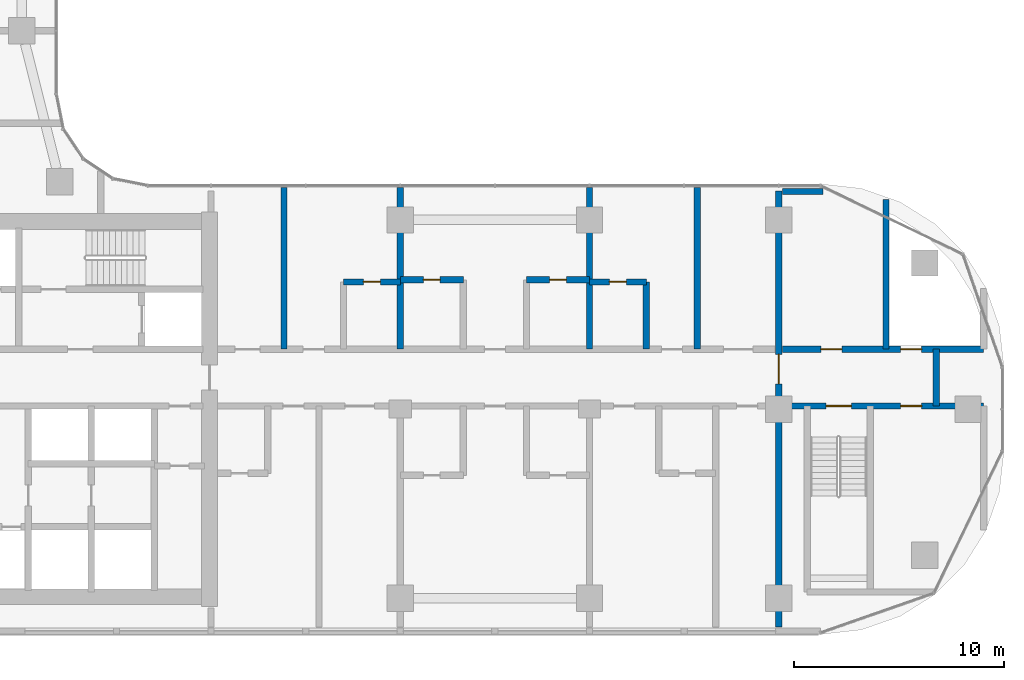
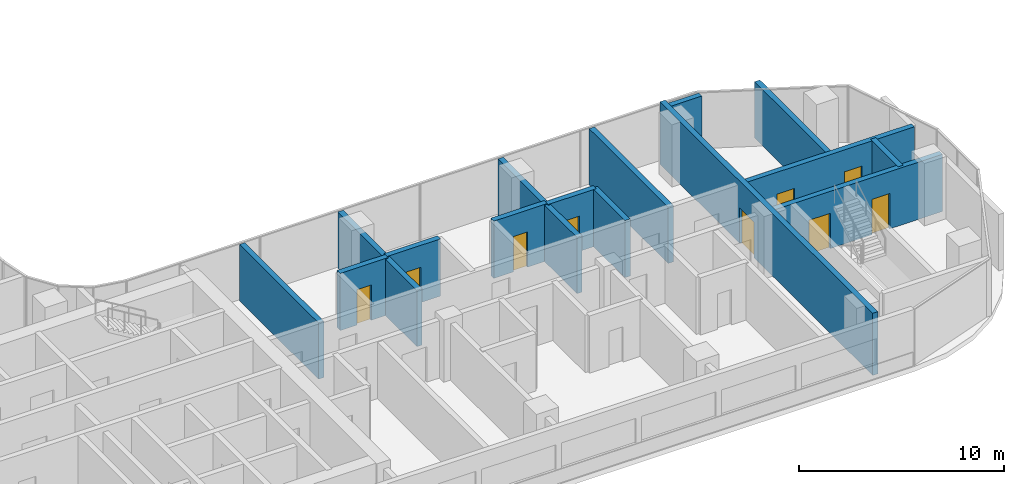
# One storey, part 12 of 22: 15 walls, 9 doors, 9 openings.
"""IFC4 building model written with IfcOpenShell, lengths in metres."""

from ifc_helpers import new_model, si_unit, direction, frame, frame_2d, origin, place, context, subcontext, project, spatial, rectangle, extrude, material, layer, layer_set, type_object, element, fill, save


model = new_model("IFC4")

# Units and contexts
model_context = context("Model", 3, precision=1e-05, world=origin(), true_north=direction((0.0, 1.0)))
body_context = subcontext(model_context, "Body", "Model", "MODEL_VIEW")
ifc_project = project(units=[si_unit("LENGTHUNIT", "METRE"), si_unit("AREAUNIT", "SQUARE_METRE"), si_unit("VOLUMEUNIT", "CUBIC_METRE"), si_unit("PLANEANGLEUNIT", "RADIAN"), si_unit("MASSUNIT", "GRAM", prefix="KILO")], contexts=[model_context])

# Site, building, storey
site_placement = place(None, origin())
site = spatial("IfcSite", under=ifc_project, at=site_placement, CompositionType="ELEMENT")
building_placement = place(site_placement, origin())
building = spatial("IfcBuilding", under=site, at=building_placement, Name="Ogive Portal Towers", CompositionType="ELEMENT")
storey_placement = place(building_placement, frame((0.0, 0.0, 131.5)))
storey = spatial("IfcBuildingStorey", under=building, at=storey_placement, Name="L32", CompositionType="ELEMENT", Elevation=131.5)

# Wall, opening, door
ifc_material_1 = material(Name="Concrete C60/75", Category="concrete")
ifc_layer_1 = layer(ifc_material_1, 0.300048828125)
ifc_layer_set_1 = layer_set([ifc_layer_1], Name="REVEAL WALL 300 C60")
wall_type_1 = type_object("IfcWallType", Name="REVEAL WALL 300 C60", PredefinedType="SHEAR", material=ifc_layer_set_1)
wall_1_placement = place(storey_placement, frame((85.5, 20.135009765625, 0.0), z_axis=(0.0, 0.0, 1.0), x_axis=(0.0, 1.0, 0.0)))
wall_1 = element("IfcWall", 1, at=wall_1_placement, inside=storey, type_object=wall_type_1, Name="Portal reveal wall L32", PredefinedType="SHEAR", context=body_context, shape_type="SweptSolid", body=[
    extrude(rectangle(XDim=20.72998046875, YDim=0.300048828125, at=frame_2d((10.364990234375, 0.0))), origin(), (0.0, 0.0, 1.0), 3.699951171875),
])
opening_1_placement = place(wall_1_placement, frame((11.56494140625, 0.0, 0.0)))
opening_1 = element("IfcOpeningElement", 2, at=opening_1_placement, cuts=wall_1, Name="Opening D11-066", PredefinedType="OPENING", context=body_context, shape_type="SweptSolid", body=[
    extrude(rectangle(XDim=1.39990234375, YDim=2.10009765625, at=frame_2d((0.699951171875, 1.050048828125))), frame((0.0, 0.16015625, 0.0), z_axis=(0.0, -1.0, 0.0), x_axis=(1.0, 0.0, 0.0)), (0.0, 0.0, 1.0), 0.320068359375),
])
ifc_material_2 = material(Name="Steel fire door", Category="steel")
door_type_1 = type_object("IfcDoorType", Name="DT-STAIR-1400x2100-FD90S", OperationType="SINGLE_SWING_LEFT", PredefinedType="DOOR", material=ifc_material_2)
door_1_placement = place(opening_1_placement, origin())
door_1 = element("IfcDoor", 3, at=door_1_placement, inside=storey, type_object=door_type_1, Name="Door D11-066", OperationType="SINGLE_SWING_RIGHT", OverallHeight=2.10009765625, OverallWidth=1.39990234375, PredefinedType="DOOR", context=body_context, shape_type="SweptSolid", body=[
    extrude(rectangle(XDim=1.39990234375, YDim=2.10009765625, at=frame_2d((0.699951171875, 1.050048828125))), frame((0.0, 0.02490234375, 0.0), z_axis=(0.0, -1.0, 0.0), x_axis=(1.0, 0.0, 0.0)), (0.0, 0.0, 1.0), 0.050048828125),
])
fill(opening_1, door_1)

# Wall, openings, doors
ifc_material_3 = material(Name="Concrete C50/60", Category="concrete")
ifc_layer_2 = layer(ifc_material_3, 0.300048828125)
ifc_layer_set_2 = layer_set([ifc_layer_2], Name="STAIR WALL 300 C50")
wall_type_2 = type_object("IfcWallType", Name="STAIR WALL 300 C50", PredefinedType="SHEAR", material=ifc_layer_set_2)
wall_2_placement = place(storey_placement, frame((85.669921875, 30.64990234375, 0.0), z_axis=(0.0, 0.0, 1.0), x_axis=(1.0, 0.0, 0.0)))
wall_2 = element("IfcWall", 4, at=wall_2_placement, inside=storey, type_object=wall_type_2, Name="Stair wall ST-A4 L32", PredefinedType="SHEAR", context=body_context, shape_type="SweptSolid", body=[
    extrude(rectangle(XDim=9.580078125, YDim=0.300048828125, at=frame_2d((4.7900390625, 0.0))), origin(), (0.0, 0.0, 1.0), 3.39990234375),
])
opening_2_placement = place(wall_2_placement, frame((2.080078125, 0.0, 0.0)))
opening_2 = element("IfcOpeningElement", 5, at=opening_2_placement, cuts=wall_2, Name="Opening D11-061", PredefinedType="OPENING", context=body_context, shape_type="SweptSolid", body=[
    extrude(rectangle(XDim=1.199951171875, YDim=2.10009765625, at=frame_2d((0.60009765625, 1.050048828125))), frame((0.0, 0.16015625, 0.0), z_axis=(0.0, -1.0, 0.0), x_axis=(1.0, 0.0, 0.0)), (0.0, 0.0, 1.0), 0.320068359375),
])
opening_3_placement = place(wall_2_placement, frame((5.6298828125, 0.0, 0.0)))
opening_3 = element("IfcOpeningElement", 6, at=opening_3_placement, cuts=wall_2, Name="Opening D11-064", PredefinedType="OPENING", context=body_context, shape_type="SweptSolid", body=[
    extrude(rectangle(XDim=1.0, YDim=2.10009765625, at=frame_2d((0.5, 1.050048828125))), frame((0.0, 0.16015625, 0.0), z_axis=(0.0, -1.0, 0.0), x_axis=(1.0, 0.0, 0.0)), (0.0, 0.0, 1.0), 0.320068359375),
])
door_type_2 = type_object("IfcDoorType", Name="DT-SERVICE-1000x2100-FD90S", OperationType="SINGLE_SWING_LEFT", PredefinedType="DOOR", material=ifc_material_2)
door_2_placement = place(opening_3_placement, origin())
door_2 = element("IfcDoor", 7, at=door_2_placement, inside=storey, type_object=door_type_2, Name="Door D11-064", OperationType="SINGLE_SWING_LEFT", OverallHeight=2.10009765625, OverallWidth=1.0, PredefinedType="DOOR", context=body_context, shape_type="SweptSolid", body=[
    extrude(rectangle(XDim=1.0, YDim=2.10009765625, at=frame_2d((0.5, 1.050048828125))), frame((0.0, 0.02490234375, 0.0), z_axis=(0.0, -1.0, 0.0), x_axis=(1.0, 0.0, 0.0)), (0.0, 0.0, 1.0), 0.050048828125),
])
fill(opening_3, door_2)
door_type_3 = type_object("IfcDoorType", Name="DT-STAIR-1200x2100-FD90S", OperationType="SINGLE_SWING_LEFT", PredefinedType="DOOR", material=ifc_material_2)
door_3_placement = place(opening_2_placement, origin())
door_3 = element("IfcDoor", 8, at=door_3_placement, inside=storey, type_object=door_type_3, Name="Door D11-061", OperationType="SINGLE_SWING_LEFT", OverallHeight=2.10009765625, OverallWidth=1.199951171875, PredefinedType="DOOR", context=body_context, shape_type="SweptSolid", body=[
    extrude(rectangle(XDim=1.199951171875, YDim=2.10009765625, at=frame_2d((0.60009765625, 1.050048828125))), frame((0.0, 0.02490234375, 0.0), z_axis=(0.0, -1.0, 0.0), x_axis=(1.0, 0.0, 0.0)), (0.0, 0.0, 1.0), 0.050048828125),
])
fill(opening_2, door_3)

ifc_material_4 = material(Name="Gypsum board partition on steel studs", Category="steel")
ifc_layer_3 = layer(ifc_material_4, 0.300048828125)
ifc_layer_set_3 = layer_set([ifc_layer_3], Name="WT-PART-300-EI 120")
wall_type_3 = type_object("IfcWallType", Name="WT-PART-300-EI 120", PredefinedType="PARTITIONING", material=ifc_layer_set_3)
wall_3_placement = place(storey_placement, frame((85.669921875, 33.35009765625, 0.0), z_axis=(0.0, 0.0, 1.0), x_axis=(1.0, 0.0, 0.0)))
wall_3 = element("IfcWall", 9, at=wall_3_placement, inside=storey, type_object=wall_type_3, Name="Wall L32:w009", PredefinedType="PARTITIONING", context=body_context, shape_type="SweptSolid", body=[
    extrude(rectangle(XDim=9.580078125, YDim=0.300048828125, at=frame_2d((4.7900390625, 0.0))), origin(), (0.0, 0.0, 1.0), 3.39990234375),
])
opening_4_placement = place(wall_3_placement, frame((1.830078125, 0.0, 0.0)))
opening_4 = element("IfcOpeningElement", 10, at=opening_4_placement, cuts=wall_3, Name="Opening D11-062", PredefinedType="OPENING", context=body_context, shape_type="SweptSolid", body=[
    extrude(rectangle(XDim=1.0, YDim=2.10009765625, at=frame_2d((0.5, 1.050048828125))), frame((0.0, 0.16015625, 0.0), z_axis=(0.0, -1.0, 0.0), x_axis=(1.0, 0.0, 0.0)), (0.0, 0.0, 1.0), 0.320068359375),
])
opening_5_placement = place(wall_3_placement, frame((5.6298828125, 0.0, 0.0)))
opening_5 = element("IfcOpeningElement", 11, at=opening_5_placement, cuts=wall_3, Name="Opening D11-063", PredefinedType="OPENING", context=body_context, shape_type="SweptSolid", body=[
    extrude(rectangle(XDim=1.0, YDim=2.10009765625, at=frame_2d((0.5, 1.050048828125))), frame((0.0, 0.16015625, 0.0), z_axis=(0.0, -1.0, 0.0), x_axis=(1.0, 0.0, 0.0)), (0.0, 0.0, 1.0), 0.320068359375),
])
door_4_placement = place(opening_4_placement, origin())
door_4 = element("IfcDoor", 12, at=door_4_placement, inside=storey, type_object=door_type_2, Name="Door D11-062", OperationType="SINGLE_SWING_LEFT", OverallHeight=2.10009765625, OverallWidth=1.0, PredefinedType="DOOR", context=body_context, shape_type="SweptSolid", body=[
    extrude(rectangle(XDim=1.0, YDim=2.10009765625, at=frame_2d((0.5, 1.050048828125))), frame((0.0, 0.02490234375, 0.0), z_axis=(0.0, -1.0, 0.0), x_axis=(1.0, 0.0, 0.0)), (0.0, 0.0, 1.0), 0.050048828125),
])
fill(opening_4, door_4)
door_5_placement = place(opening_5_placement, origin())
door_5 = element("IfcDoor", 13, at=door_5_placement, inside=storey, type_object=door_type_2, Name="Riser access door D11-063", OperationType="SINGLE_SWING_RIGHT", OverallHeight=2.10009765625, OverallWidth=1.0, PredefinedType="DOOR", context=body_context, shape_type="SweptSolid", body=[
    extrude(rectangle(XDim=1.0, YDim=2.10009765625, at=frame_2d((0.5, 1.050048828125))), frame((0.0, 0.02490234375, 0.0), z_axis=(0.0, -1.0, 0.0), x_axis=(1.0, 0.0, 0.0)), (0.0, 0.0, 1.0), 0.050048828125),
])
fill(opening_5, door_5)

# Wall
wall_4_placement = place(storey_placement, frame((93.0, 30.64990234375, 0.0), z_axis=(0.0, 0.0, 1.0), x_axis=(0.0, 1.0, 0.0)))
element("IfcWall", 14, at=wall_4_placement, inside=storey, type_object=wall_type_3, Name="Wall L32:w065", PredefinedType="PARTITIONING", context=body_context, shape_type="SweptSolid", body=[
    extrude(rectangle(XDim=2.7001953125, YDim=0.300048828125, at=frame_2d((1.35009765625, 0.0))), origin(), (0.0, 0.0, 1.0), 3.39990234375),
])

# Wall, opening, door
ifc_layer_4 = layer(ifc_material_4, 0.300048828125)
ifc_layer_set_4 = layer_set([ifc_layer_4], Name="WT-PART-300-EI 60")
wall_type_4 = type_object("IfcWallType", Name="WT-PART-300-EI 60", PredefinedType="PARTITIONING", material=ifc_layer_set_4)
wall_5_placement = place(storey_placement, frame((64.800048828125, 36.550048828125, 0.0), z_axis=(0.0, 0.0, 1.0), x_axis=(1.0, 0.0, 0.0)))
wall_5 = element("IfcWall", 15, at=wall_5_placement, inside=storey, type_object=wall_type_4, Name="Wall L32:w010", PredefinedType="PARTITIONING", context=body_context, shape_type="SweptSolid", body=[
    extrude(rectangle(XDim=2.699951171875, YDim=0.300048828125, at=frame_2d((1.35009765625, 0.0))), origin(), (0.0, 0.0, 1.0), 3.39990234375),
])
opening_6_placement = place(wall_5_placement, frame((0.949951171875, 0.0, 0.0)))
opening_6 = element("IfcOpeningElement", 16, at=opening_6_placement, cuts=wall_5, Name="Opening D11-028", PredefinedType="OPENING", context=body_context, shape_type="SweptSolid", body=[
    extrude(rectangle(XDim=0.800048828125, YDim=2.10009765625, at=frame_2d((0.39990234375, 1.050048828125))), frame((0.0, 0.16015625, 0.0), z_axis=(0.0, -1.0, 0.0), x_axis=(1.0, 0.0, 0.0)), (0.0, 0.0, 1.0), 0.320068359375),
])
door_type_4 = type_object("IfcDoorType", Name="DT-BATH-800x2100-FD60S", OperationType="SINGLE_SWING_LEFT", PredefinedType="DOOR", material=ifc_material_2)
door_6_placement = place(opening_6_placement, origin())
door_6 = element("IfcDoor", 17, at=door_6_placement, inside=storey, type_object=door_type_4, Name="Door D11-028", OperationType="SINGLE_SWING_RIGHT", OverallHeight=2.10009765625, OverallWidth=0.800048828125, PredefinedType="DOOR", context=body_context, shape_type="SweptSolid", body=[
    extrude(rectangle(XDim=0.800048828125, YDim=2.10009765625, at=frame_2d((0.39990234375, 1.050048828125))), frame((0.0, 0.02490234375, 0.0), z_axis=(0.0, -1.0, 0.0), x_axis=(1.0, 0.0, 0.0)), (0.0, 0.0, 1.0), 0.050048828125),
])
fill(opening_6, door_6)

wall_6_placement = place(storey_placement, frame((76.5, 36.550048828125, 0.0), z_axis=(0.0, 0.0, 1.0), x_axis=(1.0, 0.0, 0.0)))
wall_6 = element("IfcWall", 18, at=wall_6_placement, inside=storey, type_object=wall_type_4, Name="Wall L32:w011", PredefinedType="PARTITIONING", context=body_context, shape_type="SweptSolid", body=[
    extrude(rectangle(XDim=2.699951171875, YDim=0.300048828125, at=frame_2d((1.35009765625, 0.0))), origin(), (0.0, 0.0, 1.0), 3.39990234375),
])
opening_7_placement = place(wall_6_placement, frame((0.949951171875, 0.0, 0.0)))
opening_7 = element("IfcOpeningElement", 19, at=opening_7_placement, cuts=wall_6, Name="Opening D11-039", PredefinedType="OPENING", context=body_context, shape_type="SweptSolid", body=[
    extrude(rectangle(XDim=0.800048828125, YDim=2.10009765625, at=frame_2d((0.39990234375, 1.050048828125))), frame((0.0, 0.16015625, 0.0), z_axis=(0.0, -1.0, 0.0), x_axis=(1.0, 0.0, 0.0)), (0.0, 0.0, 1.0), 0.320068359375),
])
door_7_placement = place(opening_7_placement, origin())
door_7 = element("IfcDoor", 20, at=door_7_placement, inside=storey, type_object=door_type_4, Name="Door D11-039", OperationType="SINGLE_SWING_LEFT", OverallHeight=2.10009765625, OverallWidth=0.800048828125, PredefinedType="DOOR", context=body_context, shape_type="SweptSolid", body=[
    extrude(rectangle(XDim=0.800048828125, YDim=2.10009765625, at=frame_2d((0.39990234375, 1.050048828125))), frame((0.0, 0.02490234375, 0.0), z_axis=(0.0, -1.0, 0.0), x_axis=(1.0, 0.0, 0.0)), (0.0, 0.0, 1.0), 0.050048828125),
])
fill(opening_7, door_7)

wall_7_placement = place(storey_placement, frame((67.5, 36.64990234375, 0.0), z_axis=(0.0, 0.0, 1.0), x_axis=(1.0, 0.0, 0.0)))
wall_7 = element("IfcWall", 21, at=wall_7_placement, inside=storey, type_object=wall_type_4, Name="Wall L32:w012", PredefinedType="PARTITIONING", context=body_context, shape_type="SweptSolid", body=[
    extrude(rectangle(XDim=3.0, YDim=0.300048828125, at=frame_2d((1.5, 0.0))), origin(), (0.0, 0.0, 1.0), 3.39990234375),
])
opening_8_placement = place(wall_7_placement, frame((1.10009765625, 0.0, 0.0)))
opening_8 = element("IfcOpeningElement", 22, at=opening_8_placement, cuts=wall_7, Name="Opening D11-033", PredefinedType="OPENING", context=body_context, shape_type="SweptSolid", body=[
    extrude(rectangle(XDim=0.800048828125, YDim=2.10009765625, at=frame_2d((0.39990234375, 1.050048828125))), frame((0.0, 0.16015625, 0.0), z_axis=(0.0, -1.0, 0.0), x_axis=(1.0, 0.0, 0.0)), (0.0, 0.0, 1.0), 0.320068359375),
])
door_8_placement = place(opening_8_placement, origin())
door_8 = element("IfcDoor", 23, at=door_8_placement, inside=storey, type_object=door_type_4, Name="Door D11-033", OperationType="SINGLE_SWING_LEFT", OverallHeight=2.10009765625, OverallWidth=0.800048828125, PredefinedType="DOOR", context=body_context, shape_type="SweptSolid", body=[
    extrude(rectangle(XDim=0.800048828125, YDim=2.10009765625, at=frame_2d((0.39990234375, 1.050048828125))), frame((0.0, 0.02490234375, 0.0), z_axis=(0.0, -1.0, 0.0), x_axis=(1.0, 0.0, 0.0)), (0.0, 0.0, 1.0), 0.050048828125),
])
fill(opening_8, door_8)

wall_8_placement = place(storey_placement, frame((73.5, 36.64990234375, 0.0), z_axis=(0.0, 0.0, 1.0), x_axis=(1.0, 0.0, 0.0)))
wall_8 = element("IfcWall", 24, at=wall_8_placement, inside=storey, type_object=wall_type_4, Name="Wall L32:w013", PredefinedType="PARTITIONING", context=body_context, shape_type="SweptSolid", body=[
    extrude(rectangle(XDim=3.0, YDim=0.300048828125, at=frame_2d((1.5, 0.0))), origin(), (0.0, 0.0, 1.0), 3.39990234375),
])
opening_9_placement = place(wall_8_placement, frame((1.10009765625, 0.0, 0.0)))
opening_9 = element("IfcOpeningElement", 25, at=opening_9_placement, cuts=wall_8, Name="Opening D11-034", PredefinedType="OPENING", context=body_context, shape_type="SweptSolid", body=[
    extrude(rectangle(XDim=0.800048828125, YDim=2.10009765625, at=frame_2d((0.39990234375, 1.050048828125))), frame((0.0, 0.16015625, 0.0), z_axis=(0.0, -1.0, 0.0), x_axis=(1.0, 0.0, 0.0)), (0.0, 0.0, 1.0), 0.320068359375),
])
door_9_placement = place(opening_9_placement, origin())
door_9 = element("IfcDoor", 26, at=door_9_placement, inside=storey, type_object=door_type_4, Name="Door D11-034", OperationType="SINGLE_SWING_RIGHT", OverallHeight=2.10009765625, OverallWidth=0.800048828125, PredefinedType="DOOR", context=body_context, shape_type="SweptSolid", body=[
    extrude(rectangle(XDim=0.800048828125, YDim=2.10009765625, at=frame_2d((0.39990234375, 1.050048828125))), frame((0.0, 0.02490234375, 0.0), z_axis=(0.0, -1.0, 0.0), x_axis=(1.0, 0.0, 0.0)), (0.0, 0.0, 1.0), 0.050048828125),
])
fill(opening_9, door_9)

# Walls
wall_9_placement = place(storey_placement, frame((85.669921875, 40.85009765625, 0.0), z_axis=(0.0, 0.0, 1.0), x_axis=(1.0, 0.0, 0.0)))
element("IfcWall", 27, at=wall_9_placement, inside=storey, type_object=wall_type_4, Name="Wall L32:w015", PredefinedType="PARTITIONING", context=body_context, shape_type="SweptSolid", body=[
    extrude(rectangle(XDim=1.943115234375, YDim=0.300048828125, at=frame_2d((0.9716796875, 0.0))), origin(), (0.0, 0.0, 1.0), 3.35009765625),
])
for number, where, z_axis, x_axis, name in (
    (28, (61.969970703125, 33.35009765625, 0.0), (0.0, 0.0, 1.0), (0.0, 1.0, 0.0), "Wall L32:w047"),
    (29, (67.5, 33.35009765625, 0.0), (0.0, 0.0, 1.0), (0.0, 1.0, 0.0), "Wall L32:w051"),
    (30, (76.5, 33.35009765625, 0.0), (0.0, 0.0, 1.0), (0.0, 1.0, 0.0), "Wall L32:w057"),
):
    element("IfcWall", number, at=place(storey_placement, frame(where, z_axis=z_axis, x_axis=x_axis)), inside=storey, type_object=wall_type_4, Name=name, PredefinedType="PARTITIONING", context=body_context, shape_type="SweptSolid", body=[
        extrude(rectangle(XDim=7.69482421875, YDim=0.300048828125, at=frame_2d((3.847412109375, 0.0))), origin(), (0.0, 0.0, 1.0), 3.35009765625),
    ])
wall_10_placement = place(storey_placement, frame((79.199951171875, 33.35009765625, 0.0), z_axis=(0.0, 0.0, 1.0), x_axis=(0.0, 1.0, 0.0)))
element("IfcWall", 31, at=wall_10_placement, inside=storey, type_object=wall_type_4, Name="Wall L32:w058", PredefinedType="PARTITIONING", context=body_context, shape_type="SweptSolid", body=[
    extrude(rectangle(XDim=3.199951171875, YDim=0.300048828125, at=frame_2d((1.60009765625, 0.0))), origin(), (0.0, 0.0, 1.0), 3.39990234375),
])
wall_11_placement = place(storey_placement, frame((81.6298828125, 33.35009765625, 0.0), z_axis=(0.0, 0.0, 1.0), x_axis=(0.0, 1.0, 0.0)))
element("IfcWall", 32, at=wall_11_placement, inside=storey, type_object=wall_type_4, Name="Wall L32:w060", PredefinedType="PARTITIONING", context=body_context, shape_type="SweptSolid", body=[
    extrude(rectangle(XDim=7.69482421875, YDim=0.300048828125, at=frame_2d((3.847412109375, 0.0))), origin(), (0.0, 0.0, 1.0), 3.35009765625),
])
wall_12_placement = place(storey_placement, frame((90.60009765625, 33.35009765625, 0.0), z_axis=(0.0, 0.0, 1.0), x_axis=(0.0, 1.0, 0.0)))
element("IfcWall", 33, at=wall_12_placement, inside=storey, type_object=wall_type_4, Name="Wall L32:w064", PredefinedType="PARTITIONING", context=body_context, shape_type="SweptSolid", body=[
    extrude(rectangle(XDim=7.1240234375, YDim=0.300048828125, at=frame_2d((3.56201171875, 0.0))), origin(), (0.0, 0.0, 1.0), 3.35009765625),
])

save(model, "model.ifc")
